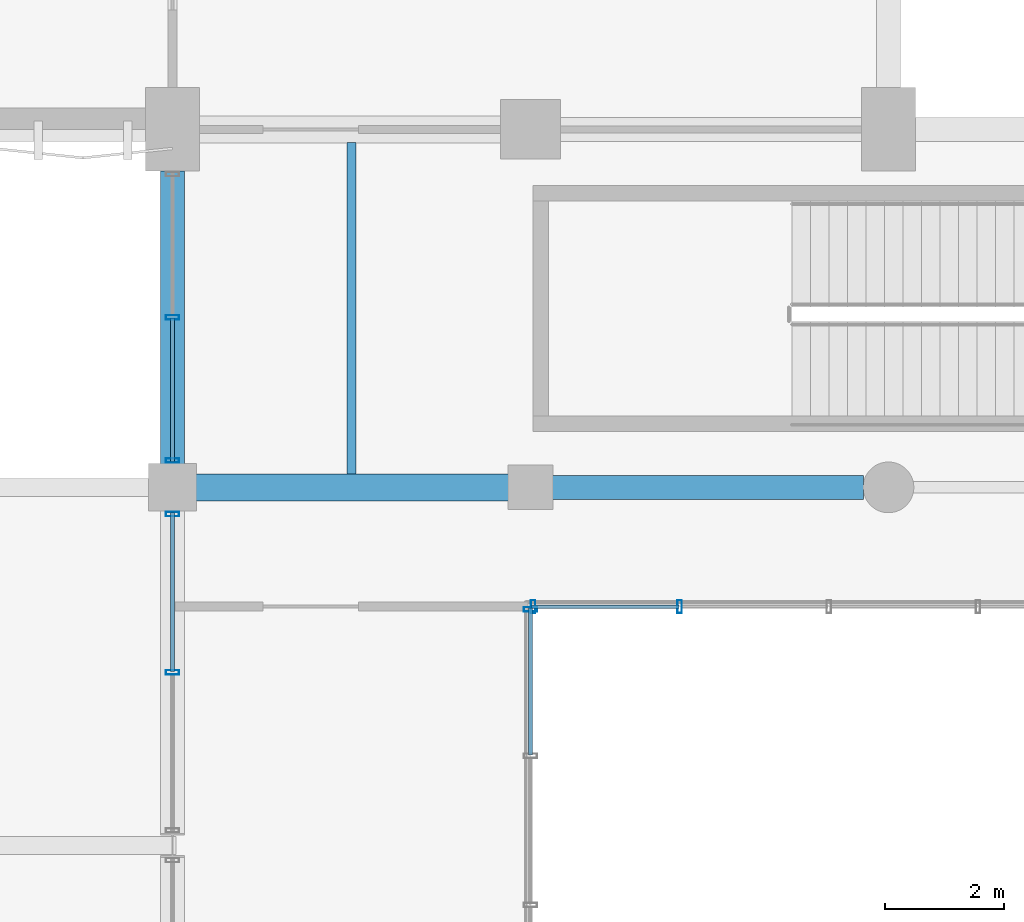
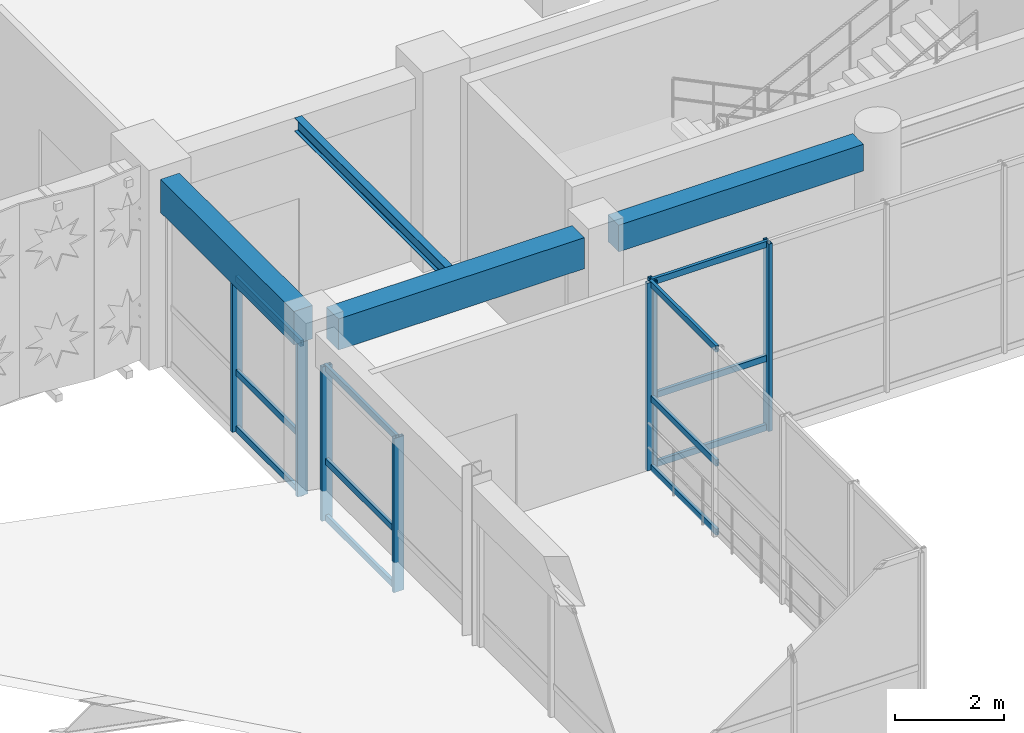
# One storey, part 21 of 133: 19 members, 4 beams, 4 elements without a shape of their own.
"""IFC4 building model written with IfcOpenShell, lengths in metres."""

import ifcopenshell
import ifcopenshell.guid

model = None  # the IFC model being written
_history = None  # IfcOwnerHistory: only IFC2X3 demands one
_inside = {}  # id of a spatial element -> (the spatial element, [elements in it])
_under = {}  # id of a project, library or spatial element -> (it, [spatial elements below it])
_declared = {}  # id of a project -> (the project, [libraries it declares])
_typed = {}  # id of a type object -> (the type object, [elements of that type])
_made_of = {}  # id of a material, layer set ... -> (it, [elements and type objects made of it])


def new_model(schema):
    """Start an empty IFC model of exactly this schema.

    Asked for "IFC4X3", IfcOpenShell would pick the latest addendum, in which some entities
    have other attributes; the version numbers below select the first issue.
    IFC2X3 requires an IfcOwnerHistory on every rooted entity: one is made here for all.
    """
    global model, _history
    if schema == "IFC4X3":
        model = ifcopenshell.file(schema_version=(4, 3, 0, 0))
    else:
        model = ifcopenshell.file(schema=schema)
    _inside.clear()
    _under.clear()
    _declared.clear()
    _typed.clear()
    _made_of.clear()
    _history = None
    if model.schema == "IFC2X3":
        org = make("IfcOrganization", Name="unknown")
        user = make(
            "IfcPersonAndOrganization",
            ThePerson=make("IfcPerson", FamilyName="unknown"),
            TheOrganization=org,
        )
        app = make(
            "IfcApplication",
            ApplicationDeveloper=org,
            Version="unknown",
            ApplicationFullName="unknown",
            ApplicationIdentifier="unknown",
        )
        _history = make(
            "IfcOwnerHistory",
            OwningUser=user,
            OwningApplication=app,
            ChangeAction="ADDED",
            CreationDate=0,
        )
    return model


def make(cls, **values):
    """One entity of the class cls with the attributes given. An attribute that is None is left unset."""
    return model.create_entity(
        cls, **{name: value for name, value in values.items() if value is not None}
    )


def rooted(cls, **values):
    """An entity with a GlobalId (a new one), such as an element, a storey or a relation."""
    return make(cls, GlobalId=ifcopenshell.guid.new(), OwnerHistory=_history, **values)


def si_unit(unit_type, name, prefix=None):
    """IfcSIUnit, for example si_unit("LENGTHUNIT", "METRE", prefix="MILLI")."""
    return make("IfcSIUnit", UnitType=unit_type, Prefix=prefix, Name=name)


def assignment(units):
    """IfcUnitAssignment: the units of a project."""
    return None if units is None else make("IfcUnitAssignment", Units=units)


def point(xyz):
    """IfcCartesianPoint."""
    return None if xyz is None else make("IfcCartesianPoint", Coordinates=xyz)


def direction(xyz):
    """IfcDirection."""
    return None if xyz is None else make("IfcDirection", DirectionRatios=xyz)


def frame(location, z_axis=None, x_axis=None):
    """IfcAxis2Placement3D, a coordinate frame: its origin and axes. An axis left out is left unset."""
    return make(
        "IfcAxis2Placement3D",
        Location=point(location),
        Axis=direction(z_axis),
        RefDirection=direction(x_axis),
    )


def frame_2d(location, x_axis=None):
    """IfcAxis2Placement2D, a coordinate frame in the plane: its origin and x axis."""
    return make(
        "IfcAxis2Placement2D", Location=point(location), RefDirection=direction(x_axis)
    )


def origin():
    """The frame at (0, 0, 0) with its axes left unset."""
    return frame((0.0, 0.0, 0.0))


def origin_2d():
    """The frame at (0, 0) in the plane with its x axis left unset."""
    return frame_2d((0.0, 0.0))


def place(relative_to, where):
    """IfcLocalPlacement: puts the frame where relative to a parent placement (None: the world)."""
    return make(
        "IfcLocalPlacement", PlacementRelTo=relative_to, RelativePlacement=where
    )


def context(
    kind, dimensions, precision=None, world=None, true_north=None, identifier=None
):
    """IfcGeometricRepresentationContext, for example the 3D "Model" context."""
    return make(
        "IfcGeometricRepresentationContext",
        ContextIdentifier=identifier,
        ContextType=kind,
        CoordinateSpaceDimension=dimensions,
        Precision=precision,
        WorldCoordinateSystem=world,
        TrueNorth=true_north,
    )


def subcontext(parent, identifier, kind, view, scale=None):
    """IfcGeometricRepresentationSubContext, for example "Body" below "Model"."""
    return make(
        "IfcGeometricRepresentationSubContext",
        ContextIdentifier=identifier,
        ContextType=kind,
        ParentContext=parent,
        TargetScale=scale,
        TargetView=view,
    )


def project(units=None, contexts=None):
    """IfcProject with its units and contexts."""
    return rooted(
        "IfcProject",
        Name="project",
        RepresentationContexts=contexts,
        UnitsInContext=assignment(units),
    )


def spatial(cls, under=None, at=None, **own):
    """A site, building, storey or space (cls), placed at a placement, below another one or the project."""
    s = rooted(cls, ObjectPlacement=at, **own)
    if under is not None:
        _under.setdefault(under.id(), (under, []))[1].append(s)
    return s


def profile(cls, at=None, kind="AREA", **sizes):
    """A parametric profile (cls). Its sizes go by their IFC names, for example OverallWidth=200.0."""
    return make(cls, ProfileType=kind, Position=at, **sizes)


def rectangle(**sizes):
    """IfcRectangleProfileDef."""
    return profile("IfcRectangleProfileDef", **sizes)


def hollow_rectangle(**sizes):
    """IfcRectangleHollowProfileDef."""
    return profile("IfcRectangleHollowProfileDef", **sizes)


def i_section(**sizes):
    """IfcIShapeProfileDef."""
    return profile("IfcIShapeProfileDef", **sizes)


def extrude(swept, where, along, depth):
    """IfcExtrudedAreaSolid: the profile swept, set in the frame where, extruded along a direction by depth."""
    return make(
        "IfcExtrudedAreaSolid",
        SweptArea=swept,
        Position=where,
        ExtrudedDirection=direction(along),
        Depth=depth,
    )


def shape(context_of_items, identifier, shape_type, items):
    """IfcShapeRepresentation: the items that make up one representation, for example the "Body"."""
    return make(
        "IfcShapeRepresentation",
        ContextOfItems=context_of_items,
        RepresentationIdentifier=identifier,
        RepresentationType=shape_type,
        Items=items,
    )


def material(Name=None, Category=None):
    """IfcMaterial."""
    return make("IfcMaterial", Name=Name, Category=Category)


def material_profile(
    of_material, cross_section, Name=None, Category=None, Priority=None
):
    """IfcMaterialProfile: a cross section and its material."""
    return make(
        "IfcMaterialProfile",
        Name=Name,
        Material=of_material,
        Profile=cross_section,
        Priority=Priority,
        Category=Category,
    )


def profile_set(profiles, Name=None, composite=None):
    """IfcMaterialProfileSet."""
    return make(
        "IfcMaterialProfileSet",
        Name=Name,
        MaterialProfiles=profiles,
        CompositeProfile=composite,
    )


def made_of(thing, what):
    """Note that an element or type object is made of a material, layer set ...; save() writes the relation."""
    if what is not None:
        _made_of.setdefault(what.id(), (what, []))[1].append(thing)
    return thing


def type_object(cls, material=None, **own):
    """A type object (cls), such as IfcWallType, which elements share."""
    return made_of(rooted(cls, **own), material)


def element(
    cls,
    number,
    at=None,
    inside=None,
    cuts=None,
    type_object=None,
    material=None,
    context=None,
    identifier="Body",
    shape_type=None,
    held_by="IfcProductDefinitionShape",
    body=None,
    shapes=None,
    **own,
):
    """One element of the class cls, such as IfcWall. Its Tag is "e" and its number.

    at: its placement. inside: the storey or other place that contains it. cuts: it is an
    opening in that element (IfcRelVoidsElement). A single representation is given by context,
    identifier, shape_type and body (its items); several are given by shapes. held_by: the class
    of the entity that holds the representations. save() writes the other relations.
    """
    e = rooted(cls, Tag="e%d" % number, ObjectPlacement=at, **own)
    if body is not None:
        shapes = [shape(context, identifier, shape_type, body)]
    if shapes is not None:
        e.Representation = make(held_by, Representations=shapes)
    if inside is not None:
        _inside.setdefault(inside.id(), (inside, []))[1].append(e)
    if cuts is not None:
        rooted(
            "IfcRelVoidsElement", RelatingBuildingElement=cuts, RelatedOpeningElement=e
        )
    if type_object is not None:
        _typed.setdefault(type_object.id(), (type_object, []))[1].append(e)
    return made_of(e, material)


def aggregate(whole, parts):
    """IfcRelAggregates: a whole, such as a stair, and the parts it consists of."""
    return rooted("IfcRelAggregates", RelatingObject=whole, RelatedObjects=parts)


def save(model, path):
    """Write the relations noted so far, then the file.

    IfcRelAggregates (storeys below a building ...), IfcRelContainedInSpatialStructure (elements
    in a storey), IfcRelDefinesByType, IfcRelAssociatesMaterial and IfcRelDeclares: one each for
    every whole, place, type object, material and project.
    """
    for whole, parts in _under.values():
        aggregate(whole, parts)
    for where, things in _inside.values():
        rooted(
            "IfcRelContainedInSpatialStructure",
            RelatedElements=things,
            RelatingStructure=where,
        )
    for kind, things in _typed.values():
        rooted("IfcRelDefinesByType", RelatedObjects=things, RelatingType=kind)
    for what, things in _made_of.values():
        rooted("IfcRelAssociatesMaterial", RelatedObjects=things, RelatingMaterial=what)
    for by, libraries in _declared.values():
        rooted("IfcRelDeclares", RelatingContext=by, RelatedDefinitions=libraries)
    model.write(path)


model = new_model("IFC4")

# Units and contexts
model_context = context("Model", 3, precision=1e-05, world=origin(), true_north=direction((0.0, 1.0)))
body_context = subcontext(model_context, "Body", "Model", "MODEL_VIEW")
ifc_project = project(units=[si_unit("LENGTHUNIT", "METRE"), si_unit("AREAUNIT", "SQUARE_METRE"), si_unit("VOLUMEUNIT", "CUBIC_METRE"), si_unit("PLANEANGLEUNIT", "RADIAN"), si_unit("MASSUNIT", "GRAM", prefix="KILO"), si_unit("THERMODYNAMICTEMPERATUREUNIT", "KELVIN"), si_unit("POWERUNIT", "WATT")], contexts=[model_context])

# Site, building, storey
site_placement = place(None, origin())
site = spatial("IfcSite", under=ifc_project, at=site_placement, CompositionType="ELEMENT")
building_placement = place(site_placement, origin())
building = spatial("IfcBuilding", under=site, at=building_placement, Name="Phaisarnlok Congress Hotel", CompositionType="ELEMENT")
storey_placement = place(building_placement, frame((0.0, 0.0, 6.0)))
storey = spatial("IfcBuildingStorey", under=building, at=storey_placement, Name="L01", CompositionType="ELEMENT", Elevation=6.0)

# Beams
ifc_material_1 = material(Name="Concrete C40/50", Category="concrete")
ifc_material_profile_1 = material_profile(ifc_material_1, rectangle(XDim=0.39990234375, YDim=0.60009765625, at=origin_2d()), Name="RC 400x600")
ifc_profile_set_1 = profile_set([ifc_material_profile_1], Name="Concrete C40/50")
beam_type_1 = type_object("IfcBeamType", Name="BM-RC-400x600", PredefinedType="BEAM", material=ifc_profile_set_1)
beam_1_placement = place(storey_placement, frame((60.3701171875, 36.0, 3.919921875), z_axis=(1.0, 0.0, 0.0), x_axis=(0.0, 1.0, 0.0)))
element("IfcBeam", 1, at=beam_1_placement, inside=storey, type_object=beam_type_1, Name="Beam B-02", PredefinedType="BEAM", context=body_context, shape_type="SweptSolid", body=[
    extrude(rectangle(XDim=0.39990234375, YDim=0.60009765625, at=origin_2d()), origin(), (0.0, 0.0, 1.0), 5.2099609375),
])
ifc_material_profile_2 = material_profile(ifc_material_1, rectangle(XDim=0.449951171875, YDim=0.699951171875, at=origin_2d()), Name="RC 450x700")
ifc_profile_set_2 = profile_set([ifc_material_profile_2], Name="Concrete C40/50")
beam_type_2 = type_object("IfcBeamType", Name="BM-RC-450x700", PredefinedType="BEAM", material=ifc_profile_set_2)
beam_2_placement = place(storey_placement, frame((54.39501953125, 36.0, 3.8701171875), z_axis=(1.0, 0.0, 0.0), x_axis=(0.0, 1.0, 0.0)))
element("IfcBeam", 2, at=beam_2_placement, inside=storey, type_object=beam_type_2, Name="Beam B-03", PredefinedType="BEAM", context=body_context, shape_type="SweptSolid", body=[
    extrude(rectangle(XDim=0.449951171875, YDim=0.699951171875, at=origin_2d()), origin(), (0.0, 0.0, 1.0), 5.23486328125),
])

# Curtain wall, members
ifc_material_2 = material(Name="Thermally Broken Unitised Aluminium & Low-E Glazing", Category="aluminium")
curtain_wall_type_1 = type_object("IfcCurtainWallType", Name="CW-UNIT-19", PredefinedType="NOTDEFINED", material=ifc_material_2)
curtain_wall_1_placement = place(storey_placement, origin())
curtain_wall_1 = element("IfcCurtainWall", 3, at=curtain_wall_1_placement, inside=storey, type_object=curtain_wall_type_1, Name="Unitised curtain wall CW-19 (L01)", PredefinedType="NOTDEFINED")
ifc_material_3 = material(Name="Anodised Aluminium Alloy 6063-T6", Category="aluminium")
ifc_material_profile_3 = material_profile(ifc_material_3, hollow_rectangle(XDim=0.074951171875, YDim=0.219970703125, WallThickness=0.0048828125, at=origin_2d()), Name="ALU-M 75x220x5")
ifc_profile_set_3 = profile_set([ifc_material_profile_3], Name="Anodised Aluminium Alloy 6063-T6")
member_type_1 = type_object("IfcMemberType", Name="CWM-220", PredefinedType="MULLION", material=ifc_profile_set_3)
member_1_placement = place(storey_placement, frame((54.0, 38.85009765625, 0.0), z_axis=(0.0, 0.0, 1.0), x_axis=(0.0, -1.0, 0.0)))
member_1 = element("IfcMember", 4, at=member_1_placement, type_object=member_type_1, Name="Curtain wall mullion CWM-02", PredefinedType="MULLION", context=body_context, shape_type="SweptSolid", body=[
    extrude(hollow_rectangle(XDim=0.074951171875, YDim=0.219970703125, WallThickness=0.0048828125, at=origin_2d()), origin(), (0.0, 0.0, 1.0), 3.469970703125),
])
member_2_placement = place(storey_placement, frame((54.0, 36.449951171875, 0.0), z_axis=(0.0, 0.0, 1.0), x_axis=(0.0, -1.0, 0.0)))
member_2 = element("IfcMember", 5, at=member_2_placement, type_object=member_type_1, Name="Curtain wall mullion CWM-02", PredefinedType="MULLION", context=body_context, shape_type="SweptSolid", body=[
    extrude(hollow_rectangle(XDim=0.074951171875, YDim=0.219970703125, WallThickness=0.0048828125, at=origin_2d()), origin(), (0.0, 0.0, 1.0), 3.469970703125),
])

curtain_wall_type_2 = type_object("IfcCurtainWallType", Name="CW-UNIT-14", PredefinedType="NOTDEFINED", material=ifc_material_2)
curtain_wall_2_placement = place(storey_placement, origin())
curtain_wall_2 = element("IfcCurtainWall", 6, at=curtain_wall_2_placement, inside=storey, type_object=curtain_wall_type_2, Name="Unitised curtain wall CW-14 (L01)", PredefinedType="NOTDEFINED")
member_3_placement = place(storey_placement, frame((54.0, 35.550048828125, 0.0), z_axis=(0.0, 0.0, 1.0), x_axis=(0.0, -1.0, 0.0)))
member_3 = element("IfcMember", 7, at=member_3_placement, type_object=member_type_1, Name="Curtain wall mullion CWM-02", PredefinedType="MULLION", context=body_context, shape_type="SweptSolid", body=[
    extrude(hollow_rectangle(XDim=0.074951171875, YDim=0.219970703125, WallThickness=0.0048828125, at=origin_2d()), origin(), (0.0, 0.0, 1.0), 3.469970703125),
])
member_4_placement = place(storey_placement, frame((54.0, 32.899658203125, 0.0), z_axis=(0.0, 0.0, 1.0), x_axis=(0.0, -1.0, 0.0)))
member_4 = element("IfcMember", 8, at=member_4_placement, type_object=member_type_1, Name="Curtain wall mullion CWM-02", PredefinedType="MULLION", context=body_context, shape_type="SweptSolid", body=[
    extrude(hollow_rectangle(XDim=0.074951171875, YDim=0.219970703125, WallThickness=0.0048828125, at=origin_2d()), origin(), (0.0, 0.0, 1.0), 3.469970703125),
])

# Curtain wall, member
curtain_wall_type_3 = type_object("IfcCurtainWallType", Name="CW-UNIT-08", PredefinedType="NOTDEFINED", material=ifc_material_2)
curtain_wall_3_placement = place(storey_placement, origin())
curtain_wall_3 = element("IfcCurtainWall", 9, at=curtain_wall_3_placement, inside=storey, type_object=curtain_wall_type_3, Name="Unitised curtain wall CW-08 (L01)", PredefinedType="NOTDEFINED")
member_5_placement = place(storey_placement, frame((60.0, 33.955078125, 0.0), z_axis=(0.0, 0.0, 1.0), x_axis=(0.0, 1.0, 0.0)))
member_5 = element("IfcMember", 10, at=member_5_placement, type_object=member_type_1, Name="Curtain wall mullion CWM-02", PredefinedType="MULLION", context=body_context, shape_type="SweptSolid", body=[
    extrude(hollow_rectangle(XDim=0.074951171875, YDim=0.219970703125, WallThickness=0.0048828125, at=origin_2d()), origin(), (0.0, 0.0, 1.0), 4.219970703125),
])

# Curtain wall, members
curtain_wall_type_4 = type_object("IfcCurtainWallType", Name="CW-UNIT-22", PredefinedType="NOTDEFINED", material=ifc_material_2)
curtain_wall_4_placement = place(storey_placement, origin())
curtain_wall_4 = element("IfcCurtainWall", 11, at=curtain_wall_4_placement, inside=storey, type_object=curtain_wall_type_4, Name="Unitised curtain wall CW-22 (L01)", PredefinedType="NOTDEFINED")
member_6_placement = place(storey_placement, frame((60.044921875, 34.0, 0.0), z_axis=(0.0, 0.0, 1.0), x_axis=(1.0, 0.0, 0.0)))
member_6 = element("IfcMember", 12, at=member_6_placement, type_object=member_type_1, Name="Curtain wall mullion CWM-02", PredefinedType="MULLION", context=body_context, shape_type="SweptSolid", body=[
    extrude(hollow_rectangle(XDim=0.074951171875, YDim=0.219970703125, WallThickness=0.0048828125, at=origin_2d()), origin(), (0.0, 0.0, 1.0), 4.219970703125),
])
member_7_placement = place(storey_placement, frame((62.5, 34.0, 0.0), z_axis=(0.0, 0.0, 1.0), x_axis=(1.0, 0.0, 0.0)))
member_7 = element("IfcMember", 13, at=member_7_placement, type_object=member_type_1, Name="Curtain wall mullion CWM-02", PredefinedType="MULLION", context=body_context, shape_type="SweptSolid", body=[
    extrude(hollow_rectangle(XDim=0.074951171875, YDim=0.219970703125, WallThickness=0.0048828125, at=origin_2d()), origin(), (0.0, 0.0, 1.0), 4.219970703125),
])

# Member
ifc_material_profile_4 = material_profile(ifc_material_3, hollow_rectangle(XDim=0.06494140625, YDim=0.139892578125, WallThickness=0.00390625, at=origin_2d()), Name="ALU-T 65x140x4")
ifc_profile_set_4 = profile_set([ifc_material_profile_4], Name="Anodised Aluminium Alloy 6063-T6")
member_type_2 = type_object("IfcMemberType", Name="CWT-150", PredefinedType="USERDEFINED", material=ifc_profile_set_4)
member_8_placement = place(storey_placement, frame((54.0, 38.8349609375, 0.050048828125), z_axis=(0.0, -1.0, 0.0), x_axis=(1.0, 0.0, 0.0)))
member_8 = element("IfcMember", 14, at=member_8_placement, type_object=member_type_2, Name="Curtain wall transom CWT-01", ObjectType="TRANSOM", PredefinedType="USERDEFINED", context=body_context, shape_type="SweptSolid", body=[
    extrude(hollow_rectangle(XDim=0.06494140625, YDim=0.139892578125, WallThickness=0.00390625, at=origin_2d()), origin(), (0.0, 0.0, 1.0), 2.409912109375),
])

member_9_placement = place(storey_placement, frame((54.0, 38.8349609375, 1.318603515625), z_axis=(0.0, -1.0, 0.0), x_axis=(1.0, 0.0, 0.0)))
member_9 = element("IfcMember", 15, at=member_9_placement, type_object=member_type_2, Name="Curtain wall transom CWT-01", ObjectType="TRANSOM", PredefinedType="USERDEFINED", context=body_context, shape_type="SweptSolid", body=[
    extrude(hollow_rectangle(XDim=0.06494140625, YDim=0.139892578125, WallThickness=0.00390625, at=origin_2d()), origin(), (0.0, 0.0, 1.0), 2.409912109375),
])

member_10_placement = place(storey_placement, frame((54.0, 38.8349609375, 3.419921875), z_axis=(0.0, -1.0, 0.0), x_axis=(1.0, 0.0, 0.0)))
member_10 = element("IfcMember", 16, at=member_10_placement, type_object=member_type_2, Name="Curtain wall transom CWT-01", ObjectType="TRANSOM", PredefinedType="USERDEFINED", context=body_context, shape_type="SweptSolid", body=[
    extrude(hollow_rectangle(XDim=0.06494140625, YDim=0.139892578125, WallThickness=0.00390625, at=origin_2d()), origin(), (0.0, 0.0, 1.0), 2.409912109375),
])

aggregate(curtain_wall_1, [member_1, member_2, member_8, member_9, member_10])

member_11_placement = place(storey_placement, frame((54.0, 35.574951171875, 0.050048828125), z_axis=(0.0, -1.0, 0.0), x_axis=(1.0, 0.0, 0.0)))
member_11 = element("IfcMember", 17, at=member_11_placement, type_object=member_type_2, Name="Curtain wall transom CWT-01", ObjectType="TRANSOM", PredefinedType="USERDEFINED", context=body_context, shape_type="SweptSolid", body=[
    extrude(hollow_rectangle(XDim=0.06494140625, YDim=0.139892578125, WallThickness=0.00390625, at=origin_2d()), origin(), (0.0, 0.0, 1.0), 2.66015625),
])

member_12_placement = place(storey_placement, frame((54.0, 35.574951171875, 1.318603515625), z_axis=(0.0, -1.0, 0.0), x_axis=(1.0, 0.0, 0.0)))
member_12 = element("IfcMember", 18, at=member_12_placement, type_object=member_type_2, Name="Curtain wall transom CWT-01", ObjectType="TRANSOM", PredefinedType="USERDEFINED", context=body_context, shape_type="SweptSolid", body=[
    extrude(hollow_rectangle(XDim=0.06494140625, YDim=0.139892578125, WallThickness=0.00390625, at=origin_2d()), origin(), (0.0, 0.0, 1.0), 2.66015625),
])

member_13_placement = place(storey_placement, frame((54.0, 35.574951171875, 3.419921875), z_axis=(0.0, -1.0, 0.0), x_axis=(1.0, 0.0, 0.0)))
member_13 = element("IfcMember", 19, at=member_13_placement, type_object=member_type_2, Name="Curtain wall transom CWT-01", ObjectType="TRANSOM", PredefinedType="USERDEFINED", context=body_context, shape_type="SweptSolid", body=[
    extrude(hollow_rectangle(XDim=0.06494140625, YDim=0.139892578125, WallThickness=0.00390625, at=origin_2d()), origin(), (0.0, 0.0, 1.0), 2.66015625),
])

aggregate(curtain_wall_2, [member_3, member_4, member_11, member_12, member_13])

member_14_placement = place(storey_placement, frame((60.0, 31.514892578125, 0.050048828125), z_axis=(0.0, 1.0, 0.0), x_axis=(-1.0, 0.0, 0.0)))
member_14 = element("IfcMember", 20, at=member_14_placement, type_object=member_type_2, Name="Curtain wall transom CWT-01", ObjectType="TRANSOM", PredefinedType="USERDEFINED", context=body_context, shape_type="SweptSolid", body=[
    extrude(hollow_rectangle(XDim=0.06494140625, YDim=0.139892578125, WallThickness=0.00390625, at=origin_2d()), origin(), (0.0, 0.0, 1.0), 2.465087890625),
])

member_15_placement = place(storey_placement, frame((60.0, 31.514892578125, 1.603515625), z_axis=(0.0, 1.0, 0.0), x_axis=(-1.0, 0.0, 0.0)))
member_15 = element("IfcMember", 21, at=member_15_placement, type_object=member_type_2, Name="Curtain wall transom CWT-01", ObjectType="TRANSOM", PredefinedType="USERDEFINED", context=body_context, shape_type="SweptSolid", body=[
    extrude(hollow_rectangle(XDim=0.06494140625, YDim=0.139892578125, WallThickness=0.00390625, at=origin_2d()), origin(), (0.0, 0.0, 1.0), 2.465087890625),
])

member_16_placement = place(storey_placement, frame((60.0, 31.514892578125, 4.169921875), z_axis=(0.0, 1.0, 0.0), x_axis=(-1.0, 0.0, 0.0)))
member_16 = element("IfcMember", 22, at=member_16_placement, type_object=member_type_2, Name="Curtain wall transom CWT-01", ObjectType="TRANSOM", PredefinedType="USERDEFINED", context=body_context, shape_type="SweptSolid", body=[
    extrude(hollow_rectangle(XDim=0.06494140625, YDim=0.139892578125, WallThickness=0.00390625, at=origin_2d()), origin(), (0.0, 0.0, 1.0), 2.465087890625),
])

aggregate(curtain_wall_3, [member_5, member_14, member_15, member_16])

member_17_placement = place(storey_placement, frame((60.02001953125, 34.0, 0.050048828125), z_axis=(1.0, 0.0, 0.0), x_axis=(0.0, 1.0, 0.0)))
member_17 = element("IfcMember", 23, at=member_17_placement, type_object=member_type_2, Name="Curtain wall transom CWT-01", ObjectType="TRANSOM", PredefinedType="USERDEFINED", context=body_context, shape_type="SweptSolid", body=[
    extrude(hollow_rectangle(XDim=0.06494140625, YDim=0.139892578125, WallThickness=0.00390625, at=origin_2d()), origin(), (0.0, 0.0, 1.0), 2.465087890625),
])

member_18_placement = place(storey_placement, frame((60.02001953125, 34.0, 1.603515625), z_axis=(1.0, 0.0, 0.0), x_axis=(0.0, 1.0, 0.0)))
member_18 = element("IfcMember", 24, at=member_18_placement, type_object=member_type_2, Name="Curtain wall transom CWT-01", ObjectType="TRANSOM", PredefinedType="USERDEFINED", context=body_context, shape_type="SweptSolid", body=[
    extrude(hollow_rectangle(XDim=0.06494140625, YDim=0.139892578125, WallThickness=0.00390625, at=origin_2d()), origin(), (0.0, 0.0, 1.0), 2.465087890625),
])

member_19_placement = place(storey_placement, frame((60.02001953125, 34.0, 4.169921875), z_axis=(1.0, 0.0, 0.0), x_axis=(0.0, 1.0, 0.0)))
member_19 = element("IfcMember", 25, at=member_19_placement, type_object=member_type_2, Name="Curtain wall transom CWT-01", ObjectType="TRANSOM", PredefinedType="USERDEFINED", context=body_context, shape_type="SweptSolid", body=[
    extrude(hollow_rectangle(XDim=0.06494140625, YDim=0.139892578125, WallThickness=0.00390625, at=origin_2d()), origin(), (0.0, 0.0, 1.0), 2.465087890625),
])

aggregate(curtain_wall_4, [member_6, member_7, member_17, member_18, member_19])

# Beams
ifc_material_4 = material(Name="Steel S355", Category="steel")
ifc_material_profile_5 = material_profile(ifc_material_4, i_section(OverallWidth=0.14990234375, OverallDepth=0.300048828125, WebThickness=0.007080078125, FlangeThickness=0.0107421875, FilletRadius=0.014892578125, at=origin_2d()), Name="IPE 300")
ifc_profile_set_5 = profile_set([ifc_material_profile_5], Name="Steel S355")
beam_type_3 = type_object("IfcBeamType", Name="JS-STL-IPE300", PredefinedType="JOIST", material=ifc_profile_set_5)
beam_3_placement = place(storey_placement, frame((57.0, 36.219970703125, 4.070068359375), z_axis=(0.0, 1.0, 0.0), x_axis=(-1.0, 0.0, 0.0)))
element("IfcBeam", 26, at=beam_3_placement, inside=storey, type_object=beam_type_3, Name="Secondary floor joist J-03", PredefinedType="JOIST", context=body_context, shape_type="SweptSolid", body=[
    extrude(i_section(OverallWidth=0.14990234375, OverallDepth=0.300048828125, WebThickness=0.007080078125, FlangeThickness=0.0107421875, FilletRadius=0.014892578125, at=origin_2d()), origin(), (0.0, 0.0, 1.0), 5.56005859375),
])
ifc_material_profile_6 = material_profile(ifc_material_1, rectangle(XDim=0.39990234375, YDim=0.75, at=origin_2d()), Name="RC 400x750")
ifc_profile_set_6 = profile_set([ifc_material_profile_6], Name="Concrete C40/50")
beam_type_4 = type_object("IfcBeamType", Name="SP-RC-400x750", PredefinedType="SPANDREL", material=ifc_profile_set_6)
beam_4_placement = place(storey_placement, frame((54.0, 36.39501953125, 3.844970703125), z_axis=(0.0, 1.0, 0.0), x_axis=(-1.0, 0.0, 0.0)))
element("IfcBeam", 27, at=beam_4_placement, inside=storey, type_object=beam_type_4, Name="Beam SP-02", PredefinedType="SPANDREL", context=body_context, shape_type="SweptSolid", body=[
    extrude(rectangle(XDim=0.39990234375, YDim=0.75, at=origin_2d()), origin(), (0.0, 0.0, 1.0), 4.909912109375),
])

save(model, "model.ifc")
